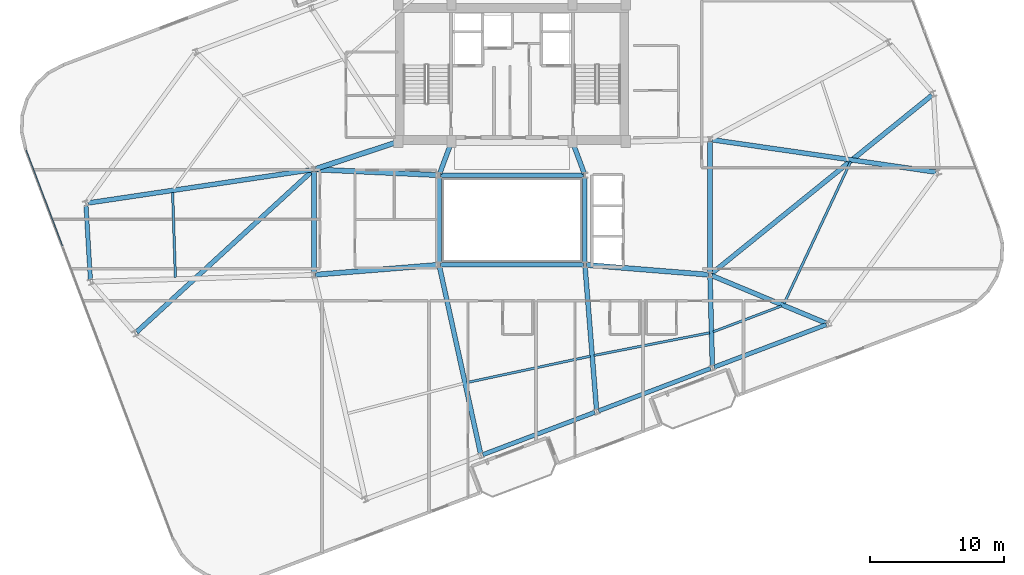
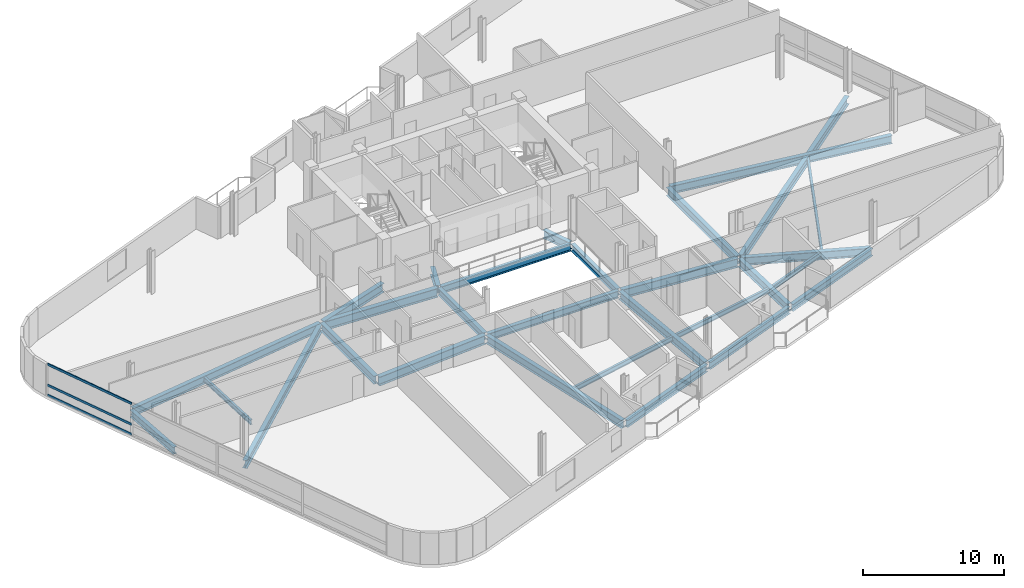
# One storey, part 7 of 20: 29 beams, 3 members, 1 element without a shape of its own.
"""IFC4 building model written with IfcOpenShell, lengths in metres."""

import ifcopenshell
import ifcopenshell.guid

model = None  # the IFC model being written
_history = None  # IfcOwnerHistory: only IFC2X3 demands one
_inside = {}  # id of a spatial element -> (the spatial element, [elements in it])
_under = {}  # id of a project, library or spatial element -> (it, [spatial elements below it])
_declared = {}  # id of a project -> (the project, [libraries it declares])
_typed = {}  # id of a type object -> (the type object, [elements of that type])
_made_of = {}  # id of a material, layer set ... -> (it, [elements and type objects made of it])


def new_model(schema):
    """Start an empty IFC model of exactly this schema.

    Asked for "IFC4X3", IfcOpenShell would pick the latest addendum, in which some entities
    have other attributes; the version numbers below select the first issue.
    IFC2X3 requires an IfcOwnerHistory on every rooted entity: one is made here for all.
    """
    global model, _history
    if schema == "IFC4X3":
        model = ifcopenshell.file(schema_version=(4, 3, 0, 0))
    else:
        model = ifcopenshell.file(schema=schema)
    _inside.clear()
    _under.clear()
    _declared.clear()
    _typed.clear()
    _made_of.clear()
    _history = None
    if model.schema == "IFC2X3":
        org = make("IfcOrganization", Name="unknown")
        user = make(
            "IfcPersonAndOrganization",
            ThePerson=make("IfcPerson", FamilyName="unknown"),
            TheOrganization=org,
        )
        app = make(
            "IfcApplication",
            ApplicationDeveloper=org,
            Version="unknown",
            ApplicationFullName="unknown",
            ApplicationIdentifier="unknown",
        )
        _history = make(
            "IfcOwnerHistory",
            OwningUser=user,
            OwningApplication=app,
            ChangeAction="ADDED",
            CreationDate=0,
        )
    return model


def make(cls, **values):
    """One entity of the class cls with the attributes given. An attribute that is None is left unset."""
    return model.create_entity(
        cls, **{name: value for name, value in values.items() if value is not None}
    )


def rooted(cls, **values):
    """An entity with a GlobalId (a new one), such as an element, a storey or a relation."""
    return make(cls, GlobalId=ifcopenshell.guid.new(), OwnerHistory=_history, **values)


def si_unit(unit_type, name, prefix=None):
    """IfcSIUnit, for example si_unit("LENGTHUNIT", "METRE", prefix="MILLI")."""
    return make("IfcSIUnit", UnitType=unit_type, Prefix=prefix, Name=name)


def assignment(units):
    """IfcUnitAssignment: the units of a project."""
    return None if units is None else make("IfcUnitAssignment", Units=units)


def point(xyz):
    """IfcCartesianPoint."""
    return None if xyz is None else make("IfcCartesianPoint", Coordinates=xyz)


def direction(xyz):
    """IfcDirection."""
    return None if xyz is None else make("IfcDirection", DirectionRatios=xyz)


def frame(location, z_axis=None, x_axis=None):
    """IfcAxis2Placement3D, a coordinate frame: its origin and axes. An axis left out is left unset."""
    return make(
        "IfcAxis2Placement3D",
        Location=point(location),
        Axis=direction(z_axis),
        RefDirection=direction(x_axis),
    )


def frame_2d(location, x_axis=None):
    """IfcAxis2Placement2D, a coordinate frame in the plane: its origin and x axis."""
    return make(
        "IfcAxis2Placement2D", Location=point(location), RefDirection=direction(x_axis)
    )


def origin():
    """The frame at (0, 0, 0) with its axes left unset."""
    return frame((0.0, 0.0, 0.0))


def origin_2d():
    """The frame at (0, 0) in the plane with its x axis left unset."""
    return frame_2d((0.0, 0.0))


def place(relative_to, where):
    """IfcLocalPlacement: puts the frame where relative to a parent placement (None: the world)."""
    return make(
        "IfcLocalPlacement", PlacementRelTo=relative_to, RelativePlacement=where
    )


def context(
    kind, dimensions, precision=None, world=None, true_north=None, identifier=None
):
    """IfcGeometricRepresentationContext, for example the 3D "Model" context."""
    return make(
        "IfcGeometricRepresentationContext",
        ContextIdentifier=identifier,
        ContextType=kind,
        CoordinateSpaceDimension=dimensions,
        Precision=precision,
        WorldCoordinateSystem=world,
        TrueNorth=true_north,
    )


def subcontext(parent, identifier, kind, view, scale=None):
    """IfcGeometricRepresentationSubContext, for example "Body" below "Model"."""
    return make(
        "IfcGeometricRepresentationSubContext",
        ContextIdentifier=identifier,
        ContextType=kind,
        ParentContext=parent,
        TargetScale=scale,
        TargetView=view,
    )


def project(units=None, contexts=None):
    """IfcProject with its units and contexts."""
    return rooted(
        "IfcProject",
        Name="project",
        RepresentationContexts=contexts,
        UnitsInContext=assignment(units),
    )


def spatial(cls, under=None, at=None, **own):
    """A site, building, storey or space (cls), placed at a placement, below another one or the project."""
    s = rooted(cls, ObjectPlacement=at, **own)
    if under is not None:
        _under.setdefault(under.id(), (under, []))[1].append(s)
    return s


def profile(cls, at=None, kind="AREA", **sizes):
    """A parametric profile (cls). Its sizes go by their IFC names, for example OverallWidth=200.0."""
    return make(cls, ProfileType=kind, Position=at, **sizes)


def hollow_rectangle(**sizes):
    """IfcRectangleHollowProfileDef."""
    return profile("IfcRectangleHollowProfileDef", **sizes)


def i_section(**sizes):
    """IfcIShapeProfileDef."""
    return profile("IfcIShapeProfileDef", **sizes)


def extrude(swept, where, along, depth):
    """IfcExtrudedAreaSolid: the profile swept, set in the frame where, extruded along a direction by depth."""
    return make(
        "IfcExtrudedAreaSolid",
        SweptArea=swept,
        Position=where,
        ExtrudedDirection=direction(along),
        Depth=depth,
    )


def shape(context_of_items, identifier, shape_type, items):
    """IfcShapeRepresentation: the items that make up one representation, for example the "Body"."""
    return make(
        "IfcShapeRepresentation",
        ContextOfItems=context_of_items,
        RepresentationIdentifier=identifier,
        RepresentationType=shape_type,
        Items=items,
    )


def material(Name=None, Category=None):
    """IfcMaterial."""
    return make("IfcMaterial", Name=Name, Category=Category)


def layer(
    of_material, thickness, ventilated=None, Name=None, Category=None, Priority=None
):
    """IfcMaterialLayer: one layer of a wall or slab, of a material (None: an air gap)."""
    return make(
        "IfcMaterialLayer",
        Material=of_material,
        LayerThickness=thickness,
        IsVentilated=ventilated,
        Name=Name,
        Category=Category,
        Priority=Priority,
    )


def layer_set(layers, Name=None):
    """IfcMaterialLayerSet."""
    return make("IfcMaterialLayerSet", MaterialLayers=layers, LayerSetName=Name)


def material_profile(
    of_material, cross_section, Name=None, Category=None, Priority=None
):
    """IfcMaterialProfile: a cross section and its material."""
    return make(
        "IfcMaterialProfile",
        Name=Name,
        Material=of_material,
        Profile=cross_section,
        Priority=Priority,
        Category=Category,
    )


def profile_set(profiles, Name=None, composite=None):
    """IfcMaterialProfileSet."""
    return make(
        "IfcMaterialProfileSet",
        Name=Name,
        MaterialProfiles=profiles,
        CompositeProfile=composite,
    )


def made_of(thing, what):
    """Note that an element or type object is made of a material, layer set ...; save() writes the relation."""
    if what is not None:
        _made_of.setdefault(what.id(), (what, []))[1].append(thing)
    return thing


def type_object(cls, material=None, **own):
    """A type object (cls), such as IfcWallType, which elements share."""
    return made_of(rooted(cls, **own), material)


def element(
    cls,
    number,
    at=None,
    inside=None,
    cuts=None,
    type_object=None,
    material=None,
    context=None,
    identifier="Body",
    shape_type=None,
    held_by="IfcProductDefinitionShape",
    body=None,
    shapes=None,
    **own,
):
    """One element of the class cls, such as IfcWall. Its Tag is "e" and its number.

    at: its placement. inside: the storey or other place that contains it. cuts: it is an
    opening in that element (IfcRelVoidsElement). A single representation is given by context,
    identifier, shape_type and body (its items); several are given by shapes. held_by: the class
    of the entity that holds the representations. save() writes the other relations.
    """
    e = rooted(cls, Tag="e%d" % number, ObjectPlacement=at, **own)
    if body is not None:
        shapes = [shape(context, identifier, shape_type, body)]
    if shapes is not None:
        e.Representation = make(held_by, Representations=shapes)
    if inside is not None:
        _inside.setdefault(inside.id(), (inside, []))[1].append(e)
    if cuts is not None:
        rooted(
            "IfcRelVoidsElement", RelatingBuildingElement=cuts, RelatedOpeningElement=e
        )
    if type_object is not None:
        _typed.setdefault(type_object.id(), (type_object, []))[1].append(e)
    return made_of(e, material)


def aggregate(whole, parts):
    """IfcRelAggregates: a whole, such as a stair, and the parts it consists of."""
    return rooted("IfcRelAggregates", RelatingObject=whole, RelatedObjects=parts)


def save(model, path):
    """Write the relations noted so far, then the file.

    IfcRelAggregates (storeys below a building ...), IfcRelContainedInSpatialStructure (elements
    in a storey), IfcRelDefinesByType, IfcRelAssociatesMaterial and IfcRelDeclares: one each for
    every whole, place, type object, material and project.
    """
    for whole, parts in _under.values():
        aggregate(whole, parts)
    for where, things in _inside.values():
        rooted(
            "IfcRelContainedInSpatialStructure",
            RelatedElements=things,
            RelatingStructure=where,
        )
    for kind, things in _typed.values():
        rooted("IfcRelDefinesByType", RelatedObjects=things, RelatingType=kind)
    for what, things in _made_of.values():
        rooted("IfcRelAssociatesMaterial", RelatedObjects=things, RelatingMaterial=what)
    for by, libraries in _declared.values():
        rooted("IfcRelDeclares", RelatingContext=by, RelatedDefinitions=libraries)
    model.write(path)


model = new_model("IFC4")

# Units and contexts
model_context = context("Model", 3, precision=1e-05, world=origin(), true_north=direction((0.0, 1.0)))
body_context = subcontext(model_context, "Body", "Model", "MODEL_VIEW")
ifc_project = project(units=[si_unit("LENGTHUNIT", "METRE"), si_unit("AREAUNIT", "SQUARE_METRE"), si_unit("VOLUMEUNIT", "CUBIC_METRE"), si_unit("PLANEANGLEUNIT", "RADIAN"), si_unit("MASSUNIT", "GRAM", prefix="KILO")], contexts=[model_context])

# Site, building, storey
site_placement = place(None, origin())
site = spatial("IfcSite", under=ifc_project, at=site_placement, CompositionType="ELEMENT")
building_placement = place(site_placement, origin())
building = spatial("IfcBuilding", under=site, at=building_placement, Name="Varnelok Gate Tower", CompositionType="ELEMENT")
storey_placement = place(building_placement, frame((0.0, 0.0, 234.89990234375)))
storey = spatial("IfcBuildingStorey", under=building, at=storey_placement, Name="L60", CompositionType="ELEMENT", Elevation=234.89990234375)

# Beams
ifc_material_1 = material(Name="Structural Steel ASTM A992 Grade 50", Category="steel")
ifc_material_profile_1 = material_profile(ifc_material_1, i_section(OverallWidth=0.180908203125, OverallDepth=0.4169921875, WebThickness=0.010986328125, FlangeThickness=0.018310546875, FilletRadius=0.013916015625, at=origin_2d()), Name="W16X57")
ifc_profile_set_1 = profile_set([ifc_material_profile_1], Name="Structural Steel ASTM A992 Grade 50")
beam_type_1 = type_object("IfcBeamType", Name="BM-JST-W16X57", PredefinedType="JOIST", material=ifc_profile_set_1)
beam_1_placement = place(storey_placement, frame((35.827392578125, 10.74609375, -0.45849609375), z_axis=(0.97793355235, 0.208916172636, 0.0), x_axis=(-0.208916172636, 0.97793355235, 0.0)))
element("IfcBeam", 1, at=beam_1_placement, inside=storey, type_object=beam_type_1, Name="L60 Sector Floor Joist 2", PredefinedType="JOIST", context=body_context, shape_type="SweptSolid", body=[
    extrude(i_section(OverallWidth=0.180908203125, OverallDepth=0.4169921875, WebThickness=0.010986328125, FlangeThickness=0.018310546875, FilletRadius=0.013916015625, at=origin_2d()), origin(), (0.0, 0.0, 1.0), 9.43994140625),
])
beam_2_placement = place(storey_placement, frame((45.33349609375, 12.7744140625, -0.45849609375), z_axis=(0.981373341714, 0.192110291692, 0.0), x_axis=(-0.192110291692, 0.981373341714, 0.0)))
element("IfcBeam", 2, at=beam_2_placement, inside=storey, type_object=beam_type_1, Name="L60 Sector Floor Joist 3", PredefinedType="JOIST", context=body_context, shape_type="SweptSolid", body=[
    extrude(i_section(OverallWidth=0.180908203125, OverallDepth=0.4169921875, WebThickness=0.010986328125, FlangeThickness=0.018310546875, FilletRadius=0.013916015625, at=origin_2d()), origin(), (0.0, 0.0, 1.0), 8.8056640625),
])
beam_3_placement = place(storey_placement, frame((54.243408203125, 14.54248046875, -0.45849609375), z_axis=(0.935206160185, 0.354103710729, 0.0), x_axis=(-0.354103710729, 0.935206160185, 0.0)))
element("IfcBeam", 3, at=beam_3_placement, inside=storey, type_object=beam_type_1, Name="L60 Sector Floor Joist 4", PredefinedType="JOIST", context=body_context, shape_type="SweptSolid", body=[
    extrude(i_section(OverallWidth=0.180908203125, OverallDepth=0.4169921875, WebThickness=0.010986328125, FlangeThickness=0.018310546875, FilletRadius=0.013916015625, at=origin_2d()), origin(), (0.0, 0.0, 1.0), 5.455078125),
])
beam_4_placement = place(storey_placement, frame((59.535400390625, 16.650390625, -0.45849609375), z_axis=(0.424724636523, 0.905322585121, 0.0), x_axis=(-0.905322585121, 0.424724636523, 0.0)))
element("IfcBeam", 4, at=beam_4_placement, inside=storey, type_object=beam_type_1, Name="L60 Sector Floor Joist 5", PredefinedType="JOIST", context=body_context, shape_type="SweptSolid", body=[
    extrude(i_section(OverallWidth=0.180908203125, OverallDepth=0.4169921875, WebThickness=0.010986328125, FlangeThickness=0.018310546875, FilletRadius=0.013916015625, at=origin_2d()), origin(), (0.0, 0.0, 1.0), 11.723388671875),
])
beam_5_placement = place(storey_placement, frame((13.830322265625, 24.969482421875, -0.45849609375), z_axis=(0.032693153675, -0.999465435972, 0.0), x_axis=(0.999465435972, 0.032693153675, 0.0)))
element("IfcBeam", 5, at=beam_5_placement, inside=storey, type_object=beam_type_1, Name="L60 Sector Floor Joist 12", PredefinedType="JOIST", context=body_context, shape_type="SweptSolid", body=[
    extrude(i_section(OverallWidth=0.180908203125, OverallDepth=0.4169921875, WebThickness=0.010986328125, FlangeThickness=0.018310546875, FilletRadius=0.013916015625, at=origin_2d()), origin(), (0.0, 0.0, 1.0), 6.35498046875),
])
ifc_material_profile_2 = material_profile(ifc_material_1, i_section(OverallWidth=0.35498046875, OverallDepth=0.696044921875, WebThickness=0.015380859375, FlangeThickness=0.02490234375, FilletRadius=0.02001953125, at=origin_2d()), Name="W27X146")
ifc_profile_set_2 = profile_set([ifc_material_profile_2], Name="Structural Steel ASTM A992 Grade 50")
beam_type_2 = type_object("IfcBeamType", Name="BM-PRI-W27X146", PredefinedType="BEAM", material=ifc_profile_set_2)
for number, where, z_axis, x_axis, name in (
    (6, (33.791748046875, 26.362548828125, -0.597900390625), (0.348719329408, 0.937227202602, 0.0), (-0.937227202602, 0.348719329408, 0.0), "L60 Core-Atrium Spine Beam 12"),
    (7, (44.608154296875, 26.362548828125, -0.597900390625), (-0.348719329408, 0.937227202602, 0.0), (-0.937227202602, -0.348719329408, 0.0), "L60 Core-Atrium Spine Beam 13"),
):
    element("IfcBeam", number, at=place(storey_placement, frame(where, z_axis=z_axis, x_axis=x_axis)), inside=storey, type_object=beam_type_2, Name=name, PredefinedType="BEAM", context=body_context, shape_type="SweptSolid", body=[
        extrude(i_section(OverallWidth=0.35498046875, OverallDepth=0.696044921875, WebThickness=0.015380859375, FlangeThickness=0.02490234375, FilletRadius=0.02001953125, at=origin_2d()), origin(), (0.0, 0.0, 1.0), 2.42724609375),
    ])
beam_6_placement = place(storey_placement, frame((24.39990234375, 18.919921875, -0.597900390625), z_axis=(0.0, 1.0, 0.0), x_axis=(-1.0, 0.0, 0.0)))
element("IfcBeam", 8, at=beam_6_placement, inside=storey, type_object=beam_type_2, Name="L60 Core-Atrium Spine Beam 16", PredefinedType="BEAM", context=body_context, shape_type="SweptSolid", body=[
    extrude(i_section(OverallWidth=0.35498046875, OverallDepth=0.696044921875, WebThickness=0.015380859375, FlangeThickness=0.02490234375, FilletRadius=0.02001953125, at=origin_2d()), origin(), (0.0, 0.0, 1.0), 7.64013671875),
])
beam_7_placement = place(storey_placement, frame((54.0, 18.919921875, -0.597900390625), z_axis=(0.0, 1.0, 0.0), x_axis=(-1.0, 0.0, 0.0)))
element("IfcBeam", 9, at=beam_7_placement, inside=storey, type_object=beam_type_2, Name="L60 Core-Atrium Spine Beam 20", PredefinedType="BEAM", context=body_context, shape_type="SweptSolid", body=[
    extrude(i_section(OverallWidth=0.35498046875, OverallDepth=0.696044921875, WebThickness=0.015380859375, FlangeThickness=0.02490234375, FilletRadius=0.02001953125, at=origin_2d()), origin(), (0.0, 0.0, 1.0), 9.880126953125),
])
beam_8_placement = place(storey_placement, frame((33.7822265625, 19.403564453125, -0.597900390625), z_axis=(0.214566745256, -0.976709328219, 0.0), x_axis=(0.976709328219, 0.214566745256, 0.0)))
element("IfcBeam", 10, at=beam_8_placement, inside=storey, type_object=beam_type_2, Name="L60 Radial Floor Girder 2", PredefinedType="BEAM", context=body_context, shape_type="SweptSolid", body=[
    extrude(i_section(OverallWidth=0.35498046875, OverallDepth=0.696044921875, WebThickness=0.015380859375, FlangeThickness=0.02490234375, FilletRadius=0.02001953125, at=origin_2d()), origin(), (0.0, 0.0, 1.0), 14.28662109375),
])
beam_9_placement = place(storey_placement, frame((44.662109375, 19.400390625, -0.597900390625), z_axis=(0.079989916961, -0.996795672736, 0.0), x_axis=(0.996795672736, 0.079989916961, 0.0)))
element("IfcBeam", 11, at=beam_9_placement, inside=storey, type_object=beam_type_2, Name="L60 Radial Floor Girder 3", PredefinedType="BEAM", context=body_context, shape_type="SweptSolid", body=[
    extrude(i_section(OverallWidth=0.35498046875, OverallDepth=0.696044921875, WebThickness=0.015380859375, FlangeThickness=0.02490234375, FilletRadius=0.02001953125, at=origin_2d()), origin(), (0.0, 0.0, 1.0), 10.70703125),
])
beam_10_placement = place(storey_placement, frame((54.00390625, 18.650146484375, -0.597900390625), z_axis=(0.026105842948, -0.999659184404, 0.0), x_axis=(0.999659184404, 0.026105842948, 0.0)))
element("IfcBeam", 12, at=beam_10_placement, inside=storey, type_object=beam_type_2, Name="L60 Radial Floor Girder 4", PredefinedType="BEAM", context=body_context, shape_type="SweptSolid", body=[
    extrude(i_section(OverallWidth=0.35498046875, OverallDepth=0.696044921875, WebThickness=0.015380859375, FlangeThickness=0.02490234375, FilletRadius=0.02001953125, at=origin_2d()), origin(), (0.0, 0.0, 1.0), 6.649169921875),
])
beam_11_placement = place(storey_placement, frame((54.138427734375, 18.742431640625, -0.597900390625), z_axis=(0.923393134815, -0.383855595995, 0.0), x_axis=(0.383855595995, 0.923393134815, 0.0)))
element("IfcBeam", 13, at=beam_11_placement, inside=storey, type_object=beam_type_2, Name="L60 Radial Floor Girder 5", PredefinedType="BEAM", context=body_context, shape_type="SweptSolid", body=[
    extrude(i_section(OverallWidth=0.35498046875, OverallDepth=0.696044921875, WebThickness=0.015380859375, FlangeThickness=0.02490234375, FilletRadius=0.02001953125, at=origin_2d()), origin(), (0.0, 0.0, 1.0), 9.264892578125),
])
beam_12_placement = place(storey_placement, frame((54.1484375, 28.8984375, -0.597900390625), z_axis=(0.989703475153, -0.143132914699, 0.0), x_axis=(0.143132914699, 0.989703475153, 0.0)))
element("IfcBeam", 14, at=beam_12_placement, inside=storey, type_object=beam_type_2, Name="L60 Radial Floor Girder 6", PredefinedType="BEAM", context=body_context, shape_type="SweptSolid", body=[
    extrude(i_section(OverallWidth=0.35498046875, OverallDepth=0.696044921875, WebThickness=0.015380859375, FlangeThickness=0.02490234375, FilletRadius=0.02001953125, at=origin_2d()), origin(), (0.0, 0.0, 1.0), 16.932373046875),
])
beam_13_placement = place(storey_placement, frame((54.11669921875, 18.894287109375, -0.597900390625), z_axis=(0.777332597566, 0.629089844745, 0.0), x_axis=(-0.629089844745, 0.777332597566, 0.0)))
element("IfcBeam", 15, at=beam_13_placement, inside=storey, type_object=beam_type_2, Name="L60 Radial Floor Girder 7", PredefinedType="BEAM", context=body_context, shape_type="SweptSolid", body=[
    extrude(i_section(OverallWidth=0.35498046875, OverallDepth=0.696044921875, WebThickness=0.015380859375, FlangeThickness=0.02490234375, FilletRadius=0.02001953125, at=origin_2d()), origin(), (0.0, 0.0, 1.0), 21.190673828125),
])
beam_14_placement = place(storey_placement, frame((24.251708984375, 26.657958984375, -0.597900390625), z_axis=(-0.989147373927, -0.146926759485, 0.0), x_axis=(0.146926759485, -0.989147373927, 0.0)))
element("IfcBeam", 16, at=beam_14_placement, inside=storey, type_object=beam_type_2, Name="L60 Radial Floor Girder 14", PredefinedType="BEAM", context=body_context, shape_type="SweptSolid", body=[
    extrude(i_section(OverallWidth=0.35498046875, OverallDepth=0.696044921875, WebThickness=0.015380859375, FlangeThickness=0.02490234375, FilletRadius=0.02001953125, at=origin_2d()), origin(), (0.0, 0.0, 1.0), 16.942138671875),
])
beam_15_placement = place(storey_placement, frame((24.289306640625, 26.57861328125, -0.597900390625), z_axis=(-0.737119491435, -0.675762425226, 0.0), x_axis=(0.675762425226, -0.737119491435, 0.0)))
element("IfcBeam", 17, at=beam_15_placement, inside=storey, type_object=beam_type_2, Name="L60 Radial Floor Girder 16", PredefinedType="BEAM", context=body_context, shape_type="SweptSolid", body=[
    extrude(i_section(OverallWidth=0.35498046875, OverallDepth=0.696044921875, WebThickness=0.015380859375, FlangeThickness=0.02490234375, FilletRadius=0.02001953125, at=origin_2d()), origin(), (0.0, 0.0, 1.0), 17.841796875),
])
ifc_material_profile_3 = material_profile(ifc_material_1, i_section(OverallWidth=0.381103515625, OverallDepth=0.77294921875, WebThickness=0.0166015625, FlangeThickness=0.027099609375, FilletRadius=0.02197265625, at=origin_2d()), Name="W30X173")
ifc_profile_set_3 = profile_set([ifc_material_profile_3], Name="Structural Steel ASTM A992 Grade 50")
beam_type_3 = type_object("IfcBeamType", Name="BM-PRI-W30X173", PredefinedType="BEAM", material=ifc_profile_set_3)
beam_16_placement = place(storey_placement, frame((24.51953125, 18.8095703125, -0.636474609375), z_axis=(0.996799206292, 0.07994587128, 0.0), x_axis=(-0.07994587128, 0.996799206292, 0.0)))
element("IfcBeam", 18, at=beam_16_placement, inside=storey, type_object=beam_type_3, Name="L60 Core-Atrium Spine Beam 14", PredefinedType="BEAM", context=body_context, shape_type="SweptSolid", body=[
    extrude(i_section(OverallWidth=0.381103515625, OverallDepth=0.77294921875, WebThickness=0.0166015625, FlangeThickness=0.027099609375, FilletRadius=0.02197265625, at=origin_2d()), origin(), (0.0, 0.0, 1.0), 9.14013671875),
])
beam_17_placement = place(storey_placement, frame((24.52001953125, 26.674560546875, -0.636474609375), z_axis=(0.99894427814, -0.045938319209, 0.0), x_axis=(0.045938319209, 0.99894427814, 0.0)))
element("IfcBeam", 19, at=beam_17_placement, inside=storey, type_object=beam_type_3, Name="L60 Core-Atrium Spine Beam 15", PredefinedType="BEAM", context=body_context, shape_type="SweptSolid", body=[
    extrude(i_section(OverallWidth=0.381103515625, OverallDepth=0.77294921875, WebThickness=0.0166015625, FlangeThickness=0.027099609375, FilletRadius=0.02197265625, at=origin_2d()), origin(), (0.0, 0.0, 1.0), 9.11962890625),
])
beam_18_placement = place(storey_placement, frame((24.513916015625, 26.717529296875, -0.636474609375), z_axis=(0.950041943788, 0.312122259768, 0.0), x_axis=(-0.312122259768, 0.950041943788, 0.0)))
element("IfcBeam", 20, at=beam_18_placement, inside=storey, type_object=beam_type_3, Name="L60 Core-Atrium Spine Beam 17", PredefinedType="BEAM", context=body_context, shape_type="SweptSolid", body=[
    extrude(i_section(OverallWidth=0.381103515625, OverallDepth=0.77294921875, WebThickness=0.0166015625, FlangeThickness=0.027099609375, FilletRadius=0.02197265625, at=origin_2d()), origin(), (0.0, 0.0, 1.0), 6.391357421875),
])
beam_19_placement = place(storey_placement, frame((44.76953125, 19.540283203125, -0.636474609375), z_axis=(0.996799206292, -0.07994587128, 0.0), x_axis=(0.07994587128, 0.996799206292, 0.0)))
element("IfcBeam", 21, at=beam_19_placement, inside=storey, type_object=beam_type_3, Name="L60 Core-Atrium Spine Beam 18", PredefinedType="BEAM", context=body_context, shape_type="SweptSolid", body=[
    extrude(i_section(OverallWidth=0.381103515625, OverallDepth=0.77294921875, WebThickness=0.0166015625, FlangeThickness=0.027099609375, FilletRadius=0.02197265625, at=origin_2d()), origin(), (0.0, 0.0, 1.0), 9.14013671875),
])
ifc_material_profile_4 = material_profile(ifc_material_1, i_section(OverallWidth=0.323974609375, OverallDepth=0.611083984375, WebThickness=0.0126953125, FlangeThickness=0.01904296875, FilletRadius=0.01806640625, at=origin_2d()), Name="W24X104")
ifc_profile_set_4 = profile_set([ifc_material_profile_4], Name="Structural Steel ASTM A992 Grade 50")
beam_type_4 = type_object("IfcBeamType", Name="BM-SPN-W24X104", PredefinedType="SPANDREL", material=ifc_profile_set_4)
for number, where, z_axis, x_axis, name in (
    (22, (33.8701171875, 19.550048828125, -0.555419921875), (1.0, 0.0, 0.0), (0.0, 1.0, 0.0), "L60 Core-Atrium Spine Beam 8"),
    (23, (33.8701171875, 26.25, -0.555419921875), (1.0, 0.0, 0.0), (0.0, 1.0, 0.0), "L60 Core-Atrium Spine Beam 9"),
):
    element("IfcBeam", number, at=place(storey_placement, frame(where, z_axis=z_axis, x_axis=x_axis)), inside=storey, type_object=beam_type_4, Name=name, PredefinedType="SPANDREL", context=body_context, shape_type="SweptSolid", body=[
        extrude(i_section(OverallWidth=0.323974609375, OverallDepth=0.611083984375, WebThickness=0.0126953125, FlangeThickness=0.01904296875, FilletRadius=0.01806640625, at=origin_2d()), origin(), (0.0, 0.0, 1.0), 10.659912109375),
    ])
for number, where, z_axis, x_axis, name in (
    (24, (33.75, 19.669921875, -0.555419921875), (0.0, 1.0, 0.0), (-1.0, 0.0, 0.0), "L60 Core-Atrium Spine Beam 10"),
    (25, (44.64990234375, 19.669921875, -0.555419921875), (0.0, 1.0, 0.0), (-1.0, 0.0, 0.0), "L60 Core-Atrium Spine Beam 11"),
):
    element("IfcBeam", number, at=place(storey_placement, frame(where, z_axis=z_axis, x_axis=x_axis)), inside=storey, type_object=beam_type_4, Name=name, PredefinedType="SPANDREL", context=body_context, shape_type="SweptSolid", body=[
        extrude(i_section(OverallWidth=0.323974609375, OverallDepth=0.611083984375, WebThickness=0.0126953125, FlangeThickness=0.01904296875, FilletRadius=0.01806640625, at=origin_2d()), origin(), (0.0, 0.0, 1.0), 6.4599609375),
    ])
beam_20_placement = place(storey_placement, frame((37.02001953125, 5.356201171875, -0.555419921875), z_axis=(0.935220356141, 0.354066216208, 0.0), x_axis=(-0.354066216208, 0.935220356141, 0.0)))
element("IfcBeam", 26, at=beam_20_placement, inside=storey, type_object=beam_type_4, Name="L60 Perimeter Spandrel Beam 2", PredefinedType="SPANDREL", context=body_context, shape_type="SweptSolid", body=[
    extrude(i_section(OverallWidth=0.323974609375, OverallDepth=0.611083984375, WebThickness=0.0126953125, FlangeThickness=0.01904296875, FilletRadius=0.01806640625, at=origin_2d()), origin(), (0.0, 0.0, 1.0), 8.9501953125),
])
for number, where, z_axis, x_axis, name in (
    (27, (45.6708984375, 8.63134765625, -0.555419921875), (0.935216936382, 0.354075248928, 0.0), (-0.354075248928, 0.935216936382, 0.0), "L60 Perimeter Spandrel Beam 3"),
    (28, (54.32177734375, 11.906494140625, -0.555419921875), (0.935225969099, 0.354051389947, 0.0), (-0.354051389947, 0.935225969099, 0.0), "L60 Perimeter Spandrel Beam 4"),
):
    element("IfcBeam", number, at=place(storey_placement, frame(where, z_axis=z_axis, x_axis=x_axis)), inside=storey, type_object=beam_type_4, Name=name, PredefinedType="SPANDREL", context=body_context, shape_type="SweptSolid", body=[
        extrude(i_section(OverallWidth=0.323974609375, OverallDepth=0.611083984375, WebThickness=0.0126953125, FlangeThickness=0.01904296875, FilletRadius=0.01806640625, at=origin_2d()), origin(), (0.0, 0.0, 1.0), 8.949951171875),
    ])
beam_21_placement = place(storey_placement, frame((7.353759765625, 23.996826171875, -0.555419921875), z_axis=(0.059497061762, -0.99822848068, 0.0), x_axis=(0.99822848068, 0.059497061762, 0.0)))
element("IfcBeam", 29, at=beam_21_placement, inside=storey, type_object=beam_type_4, Name="L60 Perimeter Spandrel Beam 14", PredefinedType="SPANDREL", context=body_context, shape_type="SweptSolid", body=[
    extrude(i_section(OverallWidth=0.323974609375, OverallDepth=0.611083984375, WebThickness=0.0126953125, FlangeThickness=0.01904296875, FilletRadius=0.01806640625, at=origin_2d()), origin(), (0.0, 0.0, 1.0), 5.576416015625),
])

# Curtain wall, members
ifc_material_2 = material(Name="Anodized Aluminum Alloy 6063-T6", Category="aluminium")
ifc_layer = layer(ifc_material_2, 0.179931640625)
ifc_layer_set = layer_set([ifc_layer], Name="Anodized Aluminum Alloy 6063-T6")
curtain_wall_type = type_object("IfcCurtainWallType", Name="CW4-RESIDENCE-VISION", PredefinedType="USERDEFINED", material=ifc_layer_set)
curtain_wall_placement = place(storey_placement, origin())
curtain_wall = element("IfcCurtainWall", 30, at=curtain_wall_placement, inside=storey, type_object=curtain_wall_type, Name="L60 West End Vision Curtain Wall", ObjectType="UNITISED CURTAIN WALL", PredefinedType="USERDEFINED")
ifc_material_profile_5 = material_profile(ifc_material_2, hollow_rectangle(XDim=0.074951171875, YDim=0.199951171875, WallThickness=0.00390625, at=origin_2d()), Name="ALU200X75X4")
ifc_profile_set_5 = profile_set([ifc_material_profile_5], Name="Anodized Aluminum Alloy 6063-T6")
member_type = type_object("IfcMemberType", Name="CW-TRAN-200", PredefinedType="USERDEFINED", material=ifc_profile_set_5)
member_1_placement = place(storey_placement, frame((5.60009765625, 20.9599609375, 0.03759765625), z_axis=(-0.354073041953, 0.935217771945, 0.0), x_axis=(-0.935217771945, -0.354073041953, 0.0)))
member_1 = element("IfcMember", 31, at=member_1_placement, type_object=member_type, Name="CW4 transom 4.1", ObjectType="TRANSOM", PredefinedType="USERDEFINED", context=body_context, shape_type="SweptSolid", body=[
    extrude(hollow_rectangle(XDim=0.074951171875, YDim=0.199951171875, WallThickness=0.00390625, at=origin_2d()), origin(), (0.0, 0.0, 1.0), 7.6875),
])
member_2_placement = place(storey_placement, frame((5.60009765625, 20.9599609375, 0.900146484375), z_axis=(-0.354073041953, 0.935217771945, 0.0), x_axis=(-0.935217771945, -0.354073041953, 0.0)))
member_2 = element("IfcMember", 32, at=member_2_placement, type_object=member_type, Name="CW4 transom 4.2", ObjectType="TRANSOM", PredefinedType="USERDEFINED", context=body_context, shape_type="SweptSolid", body=[
    extrude(hollow_rectangle(XDim=0.074951171875, YDim=0.199951171875, WallThickness=0.00390625, at=origin_2d()), origin(), (0.0, 0.0, 1.0), 7.6875),
])
member_3_placement = place(storey_placement, frame((5.60009765625, 20.9599609375, 2.692626953125), z_axis=(-0.354073041953, 0.935217771945, 0.0), x_axis=(-0.935217771945, -0.354073041953, 0.0)))
member_3 = element("IfcMember", 33, at=member_3_placement, type_object=member_type, Name="CW4 transom 4.3", ObjectType="TRANSOM", PredefinedType="USERDEFINED", context=body_context, shape_type="SweptSolid", body=[
    extrude(hollow_rectangle(XDim=0.074951171875, YDim=0.199951171875, WallThickness=0.00390625, at=origin_2d()), origin(), (0.0, 0.0, 1.0), 7.6875),
])
aggregate(curtain_wall, [member_1, member_2, member_3])

save(model, "model.ifc")
